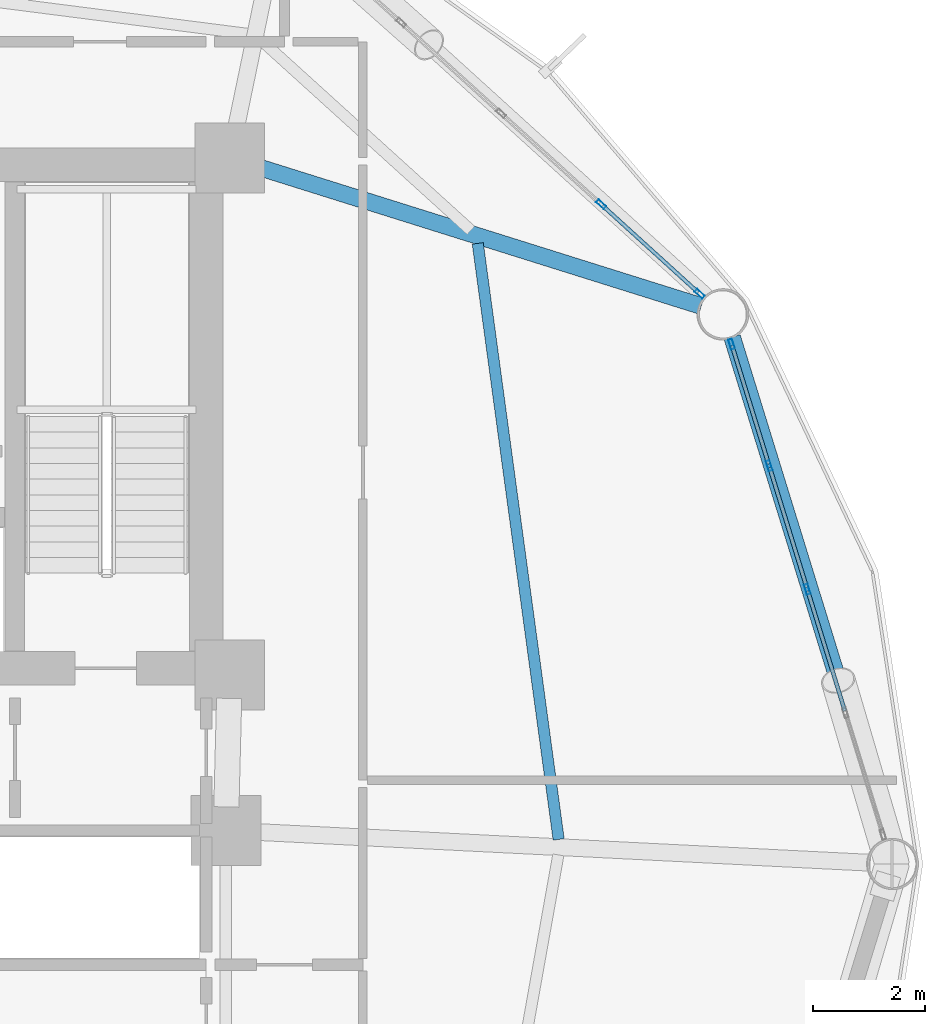
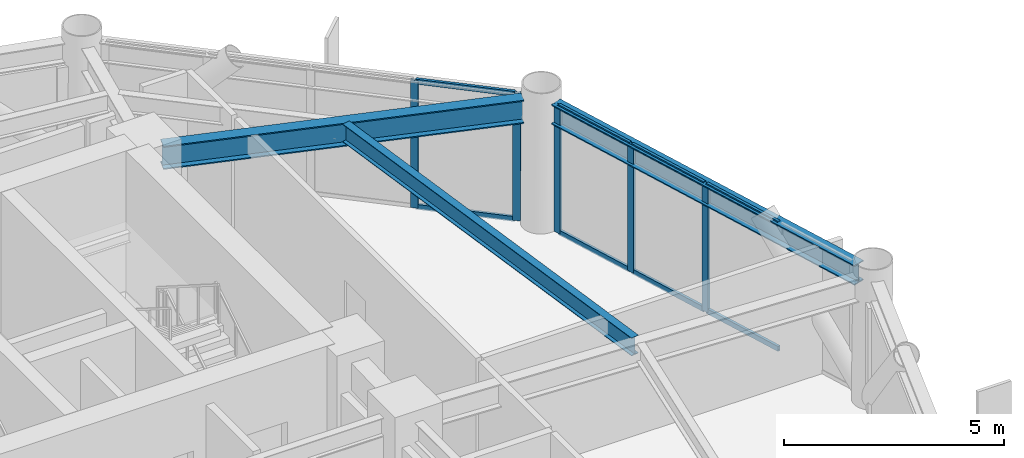
# One storey, part 14 of 25: 13 members, 3 beams, 2 elements without a shape of their own.
"""IFC4 building model written with IfcOpenShell, lengths in metres."""

from ifc_helpers import new_model, si_unit, direction, frame, origin, origin_2d, place, context, subcontext, project, spatial, hollow_rectangle, i_section, extrude, material, layer, layer_set, material_profile, profile_set, type_object, element, aggregate, save


model = new_model("IFC4")

# Units and contexts
model_context = context("Model", 3, precision=1e-05, world=origin(), true_north=direction((0.0, 1.0)))
body_context = subcontext(model_context, "Body", "Model", "MODEL_VIEW")
ifc_project = project(units=[si_unit("LENGTHUNIT", "METRE"), si_unit("AREAUNIT", "SQUARE_METRE"), si_unit("VOLUMEUNIT", "CUBIC_METRE"), si_unit("PLANEANGLEUNIT", "RADIAN"), si_unit("MASSUNIT", "GRAM", prefix="KILO")], contexts=[model_context])

# Site, building, storey
site_placement = place(None, origin())
site = spatial("IfcSite", under=ifc_project, at=site_placement, CompositionType="ELEMENT")
building_placement = place(site_placement, origin())
building = spatial("IfcBuilding", under=site, at=building_placement, Name="Varnakorn Sky Granary", CompositionType="ELEMENT")
storey_placement = place(building_placement, frame((0.0, 0.0, 74.39990234375)))
storey = spatial("IfcBuildingStorey", under=building, at=storey_placement, Name="L18", CompositionType="ELEMENT", Elevation=74.39990234375)

# Beams
ifc_material_1 = material(Name="Steel S355JR", Category="steel")
ifc_material_profile_1 = material_profile(ifc_material_1, i_section(OverallWidth=0.300048828125, OverallDepth=0.64990234375, WebThickness=0.01611328125, FlangeThickness=0.031005859375, at=origin_2d()), Name="HE 650 B")
ifc_profile_set_1 = profile_set([ifc_material_profile_1], Name="Steel S355JR")
beam_type_1 = type_object("IfcBeamType", Name="BM-RAD-Z1", PredefinedType="BEAM", material=ifc_profile_set_1)
beam_1_placement = place(storey_placement, frame((8.82080078125, 12.494140625, 3.22509765625), z_axis=(0.954122602007, -0.299416199195, 0.0), x_axis=(0.299416199195, 0.954122602007, 0.0)))
element("IfcBeam", 1, at=beam_1_placement, inside=storey, type_object=beam_type_1, Name="Radial Floor Girder RG02 L18", PredefinedType="BEAM", context=body_context, shape_type="SweptSolid", body=[
    extrude(i_section(OverallWidth=0.300048828125, OverallDepth=0.64990234375, WebThickness=0.01611328125, FlangeThickness=0.031005859375, at=origin_2d()), origin(), (0.0, 0.0, 1.0), 8.41552734375),
])
ifc_material_profile_2 = material_profile(ifc_material_1, i_section(OverallWidth=0.199951171875, OverallDepth=0.5, WebThickness=0.01025390625, FlangeThickness=0.01611328125, at=origin_2d()), Name="IPE 500")
ifc_profile_set_2 = profile_set([ifc_material_profile_2], Name="Steel S355JR")
beam_type_2 = type_object("IfcBeamType", Name="BM-SEC-Z1", PredefinedType="BEAM", material=ifc_profile_set_2)
beam_2_placement = place(storey_placement, frame((14.30078125, 0.439208984375, 3.300048828125), z_axis=(-0.134511406444, 0.990912045308, 0.0), x_axis=(-0.990912045308, -0.134511406444, 0.0)))
element("IfcBeam", 2, at=beam_2_placement, inside=storey, type_object=beam_type_2, Name="Secondary Floor Chord Beam MSB01 L18", PredefinedType="BEAM", context=body_context, shape_type="SweptSolid", body=[
    extrude(i_section(OverallWidth=0.199951171875, OverallDepth=0.5, WebThickness=0.01025390625, FlangeThickness=0.01611328125, at=origin_2d()), origin(), (0.0, 0.0, 1.0), 10.75390625),
])
ifc_material_profile_3 = material_profile(ifc_material_1, i_section(OverallWidth=0.300048828125, OverallDepth=0.550048828125, WebThickness=0.014892578125, FlangeThickness=0.029052734375, at=origin_2d()), Name="HE 550 B")
ifc_profile_set_3 = profile_set([ifc_material_profile_3], Name="Steel S355JR")
beam_type_3 = type_object("IfcBeamType", Name="BM-SPD-Z1", PredefinedType="SPANDREL", material=ifc_profile_set_3)
beam_3_placement = place(storey_placement, frame((20.1806640625, 0.42236328125, 3.275146484375), z_axis=(-0.295047656432, 0.955482538006, 0.0), x_axis=(-0.955482538006, -0.295047656432, 0.0)))
element("IfcBeam", 3, at=beam_3_placement, inside=storey, type_object=beam_type_3, Name="Perimeter Spandrel Ring Beam RB01 L18", PredefinedType="SPANDREL", context=body_context, shape_type="SweptSolid", body=[
    extrude(i_section(OverallWidth=0.300048828125, OverallDepth=0.550048828125, WebThickness=0.014892578125, FlangeThickness=0.029052734375, at=origin_2d()), origin(), (0.0, 0.0, 1.0), 9.41650390625),
])

# Curtain wall, members
ifc_material_2 = material(Name="Anodised Bronze Aluminium Alloy 6063-T6", Category="aluminium")
ifc_layer = layer(ifc_material_2, 0.18994140625, Name="Anodised Bronze Aluminium Alloy 6063-T6")
ifc_layer_set = layer_set([ifc_layer], Name="Anodised Bronze Aluminium Alloy 6063-T6")
curtain_wall_type = type_object("IfcCurtainWallType", Name="CW-FRM-1", PredefinedType="USERDEFINED", material=ifc_layer_set)
curtain_wall_1_placement = place(storey_placement, origin())
curtain_wall_1 = element("IfcCurtainWall", 4, at=curtain_wall_1_placement, inside=storey, type_object=curtain_wall_type, Name="Unitised Curtain Wall CW3 CW-L18-B01", ObjectType="CURTAIN WALL", PredefinedType="USERDEFINED")
ifc_material_profile_4 = material_profile(ifc_material_2, hollow_rectangle(XDim=0.070068359375, YDim=0.18505859375, WallThickness=0.00390625, at=origin_2d()), Name="ALU MULL 70x185")
ifc_profile_set_4 = profile_set([ifc_material_profile_4], Name="Anodised Bronze Aluminium Alloy 6063-T6")
member_type_1 = type_object("IfcMemberType", Name="CW-FRM-1-MULL", PredefinedType="MULLION", material=ifc_profile_set_4)
member_1_placement = place(storey_placement, frame((17.392333984375, 9.295654296875, 0.0), z_axis=(0.0, 0.0, 1.0), x_axis=(0.955503832529, 0.294978687405, 0.0)))
member_1 = element("IfcMember", 5, at=member_1_placement, type_object=member_type_1, Name="CW3 mullion 1", PredefinedType="MULLION", context=body_context, shape_type="SweptSolid", body=[
    extrude(hollow_rectangle(XDim=0.070068359375, YDim=0.18505859375, WallThickness=0.00390625, at=origin_2d()), origin(), (0.0, 0.0, 1.0), 3.550048828125),
])
member_2_placement = place(storey_placement, frame((18.06396484375, 7.120361328125, 0.0), z_axis=(0.0, 0.0, 1.0), x_axis=(0.955503832529, 0.294978687405, 0.0)))
member_2 = element("IfcMember", 6, at=member_2_placement, type_object=member_type_1, Name="CW3 mullion 2", PredefinedType="MULLION", context=body_context, shape_type="SweptSolid", body=[
    extrude(hollow_rectangle(XDim=0.070068359375, YDim=0.18505859375, WallThickness=0.00390625, at=origin_2d()), origin(), (0.0, 0.0, 1.0), 3.550048828125),
])
member_3_placement = place(storey_placement, frame((18.745849609375, 4.91162109375, 0.0), z_axis=(0.0, 0.0, 1.0), x_axis=(0.955503832529, 0.294978687405, 0.0)))
member_3 = element("IfcMember", 7, at=member_3_placement, type_object=member_type_1, Name="CW3 mullion 3", PredefinedType="MULLION", context=body_context, shape_type="SweptSolid", body=[
    extrude(hollow_rectangle(XDim=0.070068359375, YDim=0.18505859375, WallThickness=0.00390625, at=origin_2d()), origin(), (0.0, 0.0, 1.0), 3.550048828125),
])

curtain_wall_2_placement = place(storey_placement, origin())
curtain_wall_2 = element("IfcCurtainWall", 8, at=curtain_wall_2_placement, inside=storey, type_object=curtain_wall_type, Name="Unitised Curtain Wall CW3 CW-L18-B02", ObjectType="CURTAIN WALL", PredefinedType="USERDEFINED")
member_4_placement = place(storey_placement, frame((15.05908203125, 11.79443359375, 0.0), z_axis=(0.0, 0.0, 1.0), x_axis=(0.672398130197, 0.740189674683, 0.0)))
member_4 = element("IfcMember", 9, at=member_4_placement, type_object=member_type_1, Name="CW3 mullion 4", PredefinedType="MULLION", context=body_context, shape_type="SweptSolid", body=[
    extrude(hollow_rectangle(XDim=0.070068359375, YDim=0.18505859375, WallThickness=0.00390625, at=origin_2d()), origin(), (0.0, 0.0, 1.0), 3.550048828125),
])
member_5_placement = place(storey_placement, frame((16.82080078125, 10.194091796875, 0.0), z_axis=(0.0, 0.0, 1.0), x_axis=(0.672398130197, 0.740189674683, 0.0)))
member_5 = element("IfcMember", 10, at=member_5_placement, type_object=member_type_1, Name="CW3 mullion 5", PredefinedType="MULLION", context=body_context, shape_type="SweptSolid", body=[
    extrude(hollow_rectangle(XDim=0.070068359375, YDim=0.18505859375, WallThickness=0.00390625, at=origin_2d()), origin(), (0.0, 0.0, 1.0), 3.550048828125),
])

# Member
ifc_material_profile_5 = material_profile(ifc_material_2, hollow_rectangle(XDim=0.070068359375, YDim=0.139892578125, WallThickness=0.00341796875, at=origin_2d()), Name="ALU TRAN 70x140")
ifc_profile_set_5 = profile_set([ifc_material_profile_5], Name="Anodised Bronze Aluminium Alloy 6063-T6")
member_type_2 = type_object("IfcMemberType", Name="CW-FRM-1-TRAN", PredefinedType="USERDEFINED", material=ifc_profile_set_5)
member_6_placement = place(storey_placement, frame((17.402587890625, 9.26220703125, 0.03515625), z_axis=(0.29497205597, -0.955505879729, 0.0), x_axis=(0.955505879729, 0.29497205597, 0.0)))
member_6 = element("IfcMember", 11, at=member_6_placement, type_object=member_type_2, Name="CW3 transom 1.1", ObjectType="TRANSOM", PredefinedType="USERDEFINED", context=body_context, shape_type="SweptSolid", body=[
    extrude(hollow_rectangle(XDim=0.070068359375, YDim=0.139892578125, WallThickness=0.00341796875, at=origin_2d()), origin(), (0.0, 0.0, 1.0), 2.20654296875),
])

member_7_placement = place(storey_placement, frame((17.402587890625, 9.26220703125, 3.51513671875), z_axis=(0.29497205597, -0.955505879729, 0.0), x_axis=(0.955505879729, 0.29497205597, 0.0)))
member_7 = element("IfcMember", 12, at=member_7_placement, type_object=member_type_2, Name="CW3 transom 1.2", ObjectType="TRANSOM", PredefinedType="USERDEFINED", context=body_context, shape_type="SweptSolid", body=[
    extrude(hollow_rectangle(XDim=0.070068359375, YDim=0.139892578125, WallThickness=0.00341796875, at=origin_2d()), origin(), (0.0, 0.0, 1.0), 2.20654296875),
])

member_8_placement = place(storey_placement, frame((18.07421875, 7.0869140625, 0.03515625), z_axis=(0.294912232506, -0.955524345644, 0.0), x_axis=(0.955524345644, 0.294912232506, 0.0)))
member_8 = element("IfcMember", 13, at=member_8_placement, type_object=member_type_2, Name="CW3 transom 2.1", ObjectType="TRANSOM", PredefinedType="USERDEFINED", context=body_context, shape_type="SweptSolid", body=[
    extrude(hollow_rectangle(XDim=0.070068359375, YDim=0.139892578125, WallThickness=0.00341796875, at=origin_2d()), origin(), (0.0, 0.0, 1.0), 2.24169921875),
])

member_9_placement = place(storey_placement, frame((18.07421875, 7.0869140625, 3.51513671875), z_axis=(0.294912232506, -0.955524345644, 0.0), x_axis=(0.955524345644, 0.294912232506, 0.0)))
member_9 = element("IfcMember", 14, at=member_9_placement, type_object=member_type_2, Name="CW3 transom 2.2", ObjectType="TRANSOM", PredefinedType="USERDEFINED", context=body_context, shape_type="SweptSolid", body=[
    extrude(hollow_rectangle(XDim=0.070068359375, YDim=0.139892578125, WallThickness=0.00341796875, at=origin_2d()), origin(), (0.0, 0.0, 1.0), 2.24169921875),
])

member_10_placement = place(storey_placement, frame((18.756103515625, 4.878173828125, 0.03515625), z_axis=(0.294912232506, -0.955524345644, 0.0), x_axis=(0.955524345644, 0.294912232506, 0.0)))
member_10 = element("IfcMember", 15, at=member_10_placement, type_object=member_type_2, Name="CW3 transom 3.1", ObjectType="TRANSOM", PredefinedType="USERDEFINED", context=body_context, shape_type="SweptSolid", body=[
    extrude(hollow_rectangle(XDim=0.070068359375, YDim=0.139892578125, WallThickness=0.00341796875, at=origin_2d()), origin(), (0.0, 0.0, 1.0), 2.24169921875),
])

member_11_placement = place(storey_placement, frame((18.756103515625, 4.878173828125, 3.51513671875), z_axis=(0.294912232506, -0.955524345644, 0.0), x_axis=(0.955524345644, 0.294912232506, 0.0)))
member_11 = element("IfcMember", 16, at=member_11_placement, type_object=member_type_2, Name="CW3 transom 3.2", ObjectType="TRANSOM", PredefinedType="USERDEFINED", context=body_context, shape_type="SweptSolid", body=[
    extrude(hollow_rectangle(XDim=0.070068359375, YDim=0.139892578125, WallThickness=0.00341796875, at=origin_2d()), origin(), (0.0, 0.0, 1.0), 2.24169921875),
])

aggregate(curtain_wall_1, [member_1, member_2, member_3, member_6, member_7, member_8, member_9, member_10, member_11])

member_12_placement = place(storey_placement, frame((15.0849609375, 11.77099609375, 0.03515625), z_axis=(0.740217373706, -0.672367637281, 0.0), x_axis=(0.672367637281, 0.740217373706, 0.0)))
member_12 = element("IfcMember", 17, at=member_12_placement, type_object=member_type_2, Name="CW3 transom 4.1", ObjectType="TRANSOM", PredefinedType="USERDEFINED", context=body_context, shape_type="SweptSolid", body=[
    extrude(hollow_rectangle(XDim=0.070068359375, YDim=0.139892578125, WallThickness=0.00341796875, at=origin_2d()), origin(), (0.0, 0.0, 1.0), 2.31005859375),
])

member_13_placement = place(storey_placement, frame((15.0849609375, 11.77099609375, 3.51513671875), z_axis=(0.740217373706, -0.672367637281, 0.0), x_axis=(0.672367637281, 0.740217373706, 0.0)))
member_13 = element("IfcMember", 18, at=member_13_placement, type_object=member_type_2, Name="CW3 transom 4.2", ObjectType="TRANSOM", PredefinedType="USERDEFINED", context=body_context, shape_type="SweptSolid", body=[
    extrude(hollow_rectangle(XDim=0.070068359375, YDim=0.139892578125, WallThickness=0.00341796875, at=origin_2d()), origin(), (0.0, 0.0, 1.0), 2.31005859375),
])

aggregate(curtain_wall_2, [member_4, member_5, member_12, member_13])

save(model, "model.ifc")
